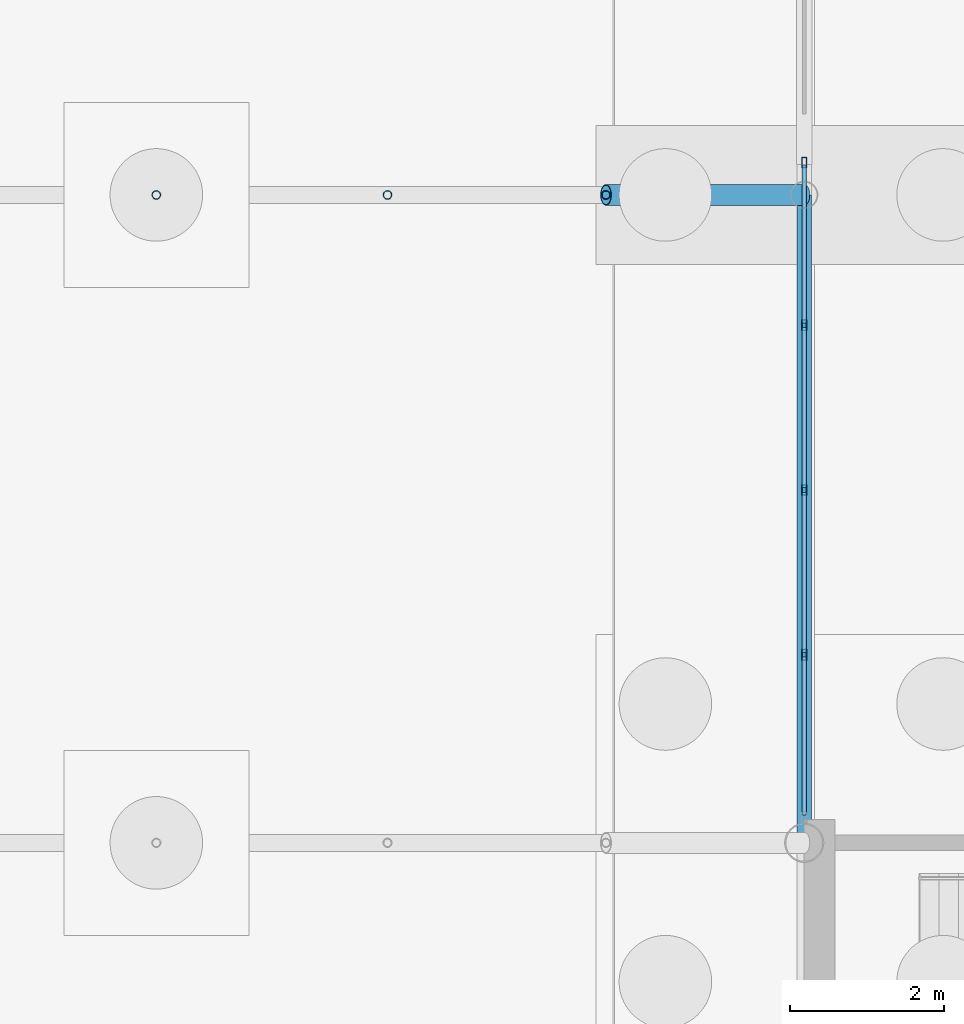
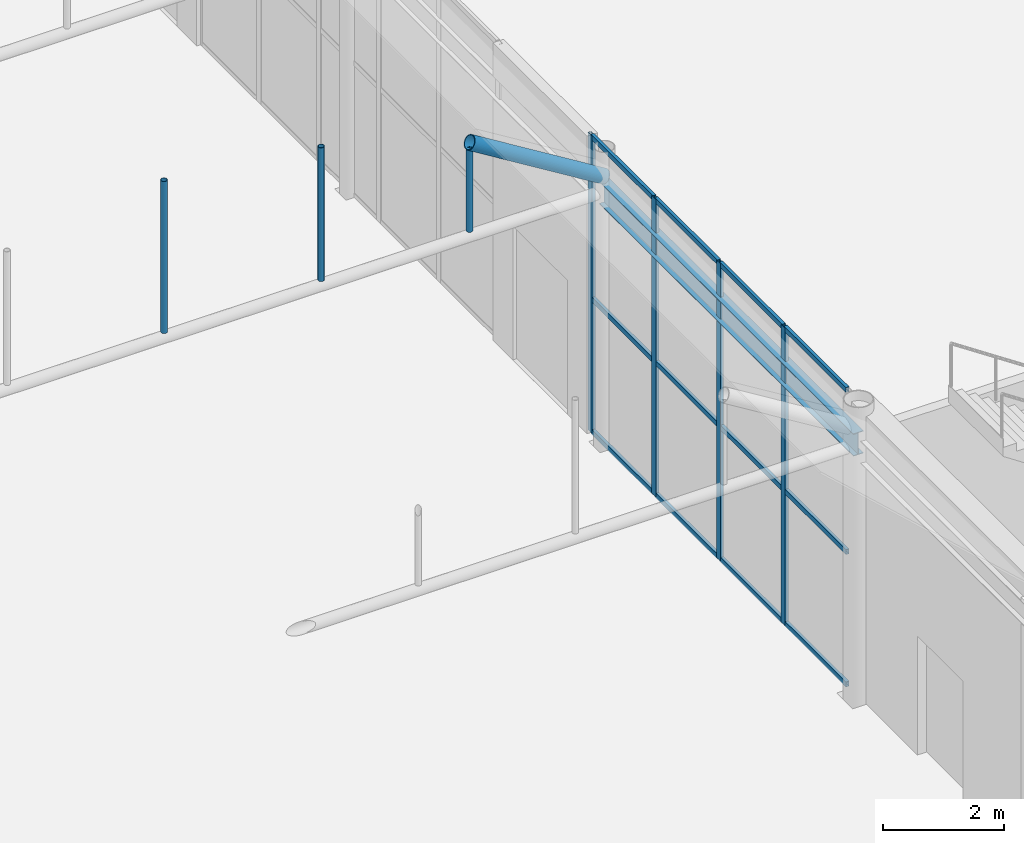
# One storey, part 106 of 212: 20 members, 1 beam, 1 element without a shape of its own.
"""IFC4 building model written with IfcOpenShell, lengths in metres."""

from ifc_helpers import new_model, si_unit, direction, frame, origin, origin_2d, place, context, subcontext, project, spatial, hollow_rectangle, hollow_circle, i_section, extrude, material, material_profile, profile_set, type_object, element, aggregate, save


model = new_model("IFC4")

# Units and contexts
model_context = context("Model", 3, precision=1e-05, world=origin(), true_north=direction((0.0, 1.0)))
body_context = subcontext(model_context, "Body", "Model", "MODEL_VIEW")
ifc_project = project(units=[si_unit("LENGTHUNIT", "METRE"), si_unit("AREAUNIT", "SQUARE_METRE"), si_unit("VOLUMEUNIT", "CUBIC_METRE"), si_unit("PLANEANGLEUNIT", "RADIAN"), si_unit("MASSUNIT", "GRAM", prefix="KILO")], contexts=[model_context])

# Site, building, storey
site_placement = place(None, origin())
site = spatial("IfcSite", under=ifc_project, at=site_placement, CompositionType="ELEMENT")
building_placement = place(site_placement, origin())
building = spatial("IfcBuilding", under=site, at=building_placement, Name="Catenary Quay Ferry Terminal", CompositionType="ELEMENT")
storey_placement = place(building_placement, origin())
storey = spatial("IfcBuildingStorey", under=building, at=storey_placement, Name="L00", CompositionType="ELEMENT", Elevation=0.0)

# Beam
ifc_material_1 = material(Name="Steel S355", Category="steel")
ifc_material_profile_1 = material_profile(ifc_material_1, i_section(OverallWidth=0.18994140625, OverallDepth=0.453369140625, WebThickness=0.008544921875, FlangeThickness=0.0126953125, at=origin_2d()), Name="UB 457x191x67")
ifc_profile_set_1 = profile_set([ifc_material_profile_1], Name="Steel S355")
beam_type = type_object("IfcBeamType", Name="B1 UB 457x191x67", PredefinedType="BEAM", material=ifc_profile_set_1)
beam_placement = place(storey_placement, frame((25.199951171875, 109.199951171875, 5.10009765625), z_axis=(0.0, 1.0, 0.0), x_axis=(-1.0, 0.0, 0.0)))
element("IfcBeam", 1, at=beam_placement, inside=storey, type_object=beam_type, Name="Eaves beam B-FD6", PredefinedType="BEAM", context=body_context, shape_type="SweptSolid", body=[
    extrude(i_section(OverallWidth=0.18994140625, OverallDepth=0.453369140625, WebThickness=0.008544921875, FlangeThickness=0.0126953125, at=origin_2d()), origin(), (0.0, 0.0, 1.0), 8.400146484375),
])

# Members
ifc_material_2 = material(Name="Steel S355", Category="steel")
ifc_material_profile_2 = material_profile(ifc_material_2, hollow_circle(Radius=0.05712890625, WallThickness=0.00634765625, at=origin_2d()), Name="CHS 114.3x6.3")
ifc_profile_set_2 = profile_set([ifc_material_profile_2], Name="Steel S355")
member_type_1 = type_object("IfcMemberType", Name="HG1 CHS 114.3x6.3", PredefinedType="POST", material=ifc_profile_set_2)
member_1_placement = place(storey_placement, frame((16.800048828125, 117.60009765625, 5.205078125), z_axis=(0.0, 0.0, 1.0), x_axis=(1.0, 0.0, 0.0)))
element("IfcMember", 2, at=member_1_placement, inside=storey, type_object=member_type_1, Name="Hanger FC-07-03", PredefinedType="POST", context=body_context, shape_type="SweptSolid", body=[
    extrude(hollow_circle(Radius=0.05712890625, WallThickness=0.00634765625, at=origin_2d()), origin(), (0.0, 0.0, 1.0), 3.06494140625),
])
member_2_placement = place(storey_placement, frame((19.797119140625, 117.60009765625, 5.205078125), z_axis=(0.0, 0.0, 1.0), x_axis=(1.0, 0.0, 0.0)))
element("IfcMember", 3, at=member_2_placement, inside=storey, type_object=member_type_1, Name="Hanger FC-07-04", PredefinedType="POST", context=body_context, shape_type="SweptSolid", body=[
    extrude(hollow_circle(Radius=0.05712890625, WallThickness=0.00634765625, at=origin_2d()), origin(), (0.0, 0.0, 1.0), 2.69580078125),
])
member_3_placement = place(storey_placement, frame((22.62890625, 117.60009765625, 5.205078125), z_axis=(0.0, 0.0, 1.0), x_axis=(1.0, 0.0, 0.0)))
element("IfcMember", 4, at=member_3_placement, inside=storey, type_object=member_type_1, Name="Hanger FC-07-05", PredefinedType="POST", context=body_context, shape_type="SweptSolid", body=[
    extrude(hollow_circle(Radius=0.05712890625, WallThickness=0.00634765625, at=origin_2d()), origin(), (0.0, 0.0, 1.0), 1.64892578125),
])

# Curtain wall, members
ifc_material_3 = material(Name="Aluminium and glass", Category="aluminium")
curtain_wall_type = type_object("IfcCurtainWallType", Name="CWG", PredefinedType="NOTDEFINED", material=ifc_material_3)
curtain_wall_placement = place(storey_placement, origin())
curtain_wall = element("IfcCurtainWall", 5, at=curtain_wall_placement, inside=storey, type_object=curtain_wall_type, Name="Gable departure hall curtain wall CW13", PredefinedType="NOTDEFINED")
ifc_material_4 = material(Name="Aluminium", Category="aluminium")
ifc_material_profile_3 = material_profile(ifc_material_4, hollow_rectangle(XDim=0.06005859375, YDim=0.139892578125, WallThickness=0.006103515625, at=origin_2d()), Name="MU2")
ifc_profile_set_3 = profile_set([ifc_material_profile_3], Name="Aluminium")
member_type_2 = type_object("IfcMemberType", Name="MU2", PredefinedType="MULLION", material=ifc_profile_set_3)
member_4_placement = place(storey_placement, frame((25.199951171875, 111.637451171875, 0.0), z_axis=(0.0, 0.0, 1.0), x_axis=(-1.0, 0.0, 0.0)))
member_4 = element("IfcMember", 6, at=member_4_placement, type_object=member_type_2, Name="CW13 mullion 2", PredefinedType="MULLION", context=body_context, shape_type="SweptSolid", body=[
    extrude(hollow_rectangle(XDim=0.06005859375, YDim=0.139892578125, WallThickness=0.006103515625, at=origin_2d()), origin(), (0.0, 0.0, 1.0), 6.0),
])
member_5_placement = place(storey_placement, frame((25.199951171875, 113.77490234375, 0.0), z_axis=(0.0, 0.0, 1.0), x_axis=(-1.0, 0.0, 0.0)))
member_5 = element("IfcMember", 7, at=member_5_placement, type_object=member_type_2, Name="CW13 mullion 3", PredefinedType="MULLION", context=body_context, shape_type="SweptSolid", body=[
    extrude(hollow_rectangle(XDim=0.06005859375, YDim=0.139892578125, WallThickness=0.006103515625, at=origin_2d()), origin(), (0.0, 0.0, 1.0), 6.0),
])
member_6_placement = place(storey_placement, frame((25.199951171875, 115.91259765625, 0.0), z_axis=(0.0, 0.0, 1.0), x_axis=(-1.0, 0.0, 0.0)))
member_6 = element("IfcMember", 8, at=member_6_placement, type_object=member_type_2, Name="CW13 mullion 4", PredefinedType="MULLION", context=body_context, shape_type="SweptSolid", body=[
    extrude(hollow_rectangle(XDim=0.06005859375, YDim=0.139892578125, WallThickness=0.006103515625, at=origin_2d()), origin(), (0.0, 0.0, 1.0), 6.0),
])
member_7_placement = place(storey_placement, frame((25.199951171875, 118.02001953125, 0.0), z_axis=(0.0, 0.0, 1.0), x_axis=(-1.0, 0.0, 0.0)))
member_7 = element("IfcMember", 9, at=member_7_placement, type_object=member_type_2, Name="CW13 mullion 5", PredefinedType="MULLION", context=body_context, shape_type="SweptSolid", body=[
    extrude(hollow_rectangle(XDim=0.06005859375, YDim=0.139892578125, WallThickness=0.006103515625, at=origin_2d()), origin(), (0.0, 0.0, 1.0), 6.0),
])
ifc_material_5 = material(Name="Aluminium", Category="aluminium")
ifc_material_profile_4 = material_profile(ifc_material_5, hollow_rectangle(XDim=0.06005859375, YDim=0.10009765625, WallThickness=0.0048828125, at=origin_2d()), Name="TR2")
ifc_profile_set_4 = profile_set([ifc_material_profile_4], Name="Aluminium")
member_type_3 = type_object("IfcMemberType", Name="TR2", PredefinedType="USERDEFINED", material=ifc_profile_set_4)
member_8_placement = place(storey_placement, frame((25.199951171875, 109.56005859375, 0.030029296875), z_axis=(0.0, 1.0, 0.0), x_axis=(-1.0, 0.0, 0.0)))
member_8 = element("IfcMember", 10, at=member_8_placement, type_object=member_type_3, Name="CW13 transom 1.1", ObjectType="TRANSOM", PredefinedType="USERDEFINED", context=body_context, shape_type="SweptSolid", body=[
    extrude(hollow_rectangle(XDim=0.06005859375, YDim=0.10009765625, WallThickness=0.0048828125, at=origin_2d()), origin(), (0.0, 0.0, 1.0), 2.04736328125),
])
member_9_placement = place(storey_placement, frame((25.199951171875, 109.56005859375, 2.699951171875), z_axis=(0.0, 1.0, 0.0), x_axis=(-1.0, 0.0, 0.0)))
member_9 = element("IfcMember", 11, at=member_9_placement, type_object=member_type_3, Name="CW13 transom 1.2", ObjectType="TRANSOM", PredefinedType="USERDEFINED", context=body_context, shape_type="SweptSolid", body=[
    extrude(hollow_rectangle(XDim=0.06005859375, YDim=0.10009765625, WallThickness=0.0048828125, at=origin_2d()), origin(), (0.0, 0.0, 1.0), 2.04736328125),
])
member_10_placement = place(storey_placement, frame((25.199951171875, 109.56005859375, 5.969970703125), z_axis=(0.0, 1.0, 0.0), x_axis=(-1.0, 0.0, 0.0)))
member_10 = element("IfcMember", 12, at=member_10_placement, type_object=member_type_3, Name="CW13 transom 1.3", ObjectType="TRANSOM", PredefinedType="USERDEFINED", context=body_context, shape_type="SweptSolid", body=[
    extrude(hollow_rectangle(XDim=0.06005859375, YDim=0.10009765625, WallThickness=0.0048828125, at=origin_2d()), origin(), (0.0, 0.0, 1.0), 2.04736328125),
])
member_11_placement = place(storey_placement, frame((25.199951171875, 111.66748046875, 0.030029296875), z_axis=(0.0, 1.0, 0.0), x_axis=(-1.0, 0.0, 0.0)))
member_11 = element("IfcMember", 13, at=member_11_placement, type_object=member_type_3, Name="CW13 transom 2.1", ObjectType="TRANSOM", PredefinedType="USERDEFINED", context=body_context, shape_type="SweptSolid", body=[
    extrude(hollow_rectangle(XDim=0.06005859375, YDim=0.10009765625, WallThickness=0.0048828125, at=origin_2d()), origin(), (0.0, 0.0, 1.0), 2.07763671875),
])
member_12_placement = place(storey_placement, frame((25.199951171875, 111.66748046875, 2.699951171875), z_axis=(0.0, 1.0, 0.0), x_axis=(-1.0, 0.0, 0.0)))
member_12 = element("IfcMember", 14, at=member_12_placement, type_object=member_type_3, Name="CW13 transom 2.2", ObjectType="TRANSOM", PredefinedType="USERDEFINED", context=body_context, shape_type="SweptSolid", body=[
    extrude(hollow_rectangle(XDim=0.06005859375, YDim=0.10009765625, WallThickness=0.0048828125, at=origin_2d()), origin(), (0.0, 0.0, 1.0), 2.07763671875),
])
member_13_placement = place(storey_placement, frame((25.199951171875, 111.66748046875, 5.969970703125), z_axis=(0.0, 1.0, 0.0), x_axis=(-1.0, 0.0, 0.0)))
member_13 = element("IfcMember", 15, at=member_13_placement, type_object=member_type_3, Name="CW13 transom 2.3", ObjectType="TRANSOM", PredefinedType="USERDEFINED", context=body_context, shape_type="SweptSolid", body=[
    extrude(hollow_rectangle(XDim=0.06005859375, YDim=0.10009765625, WallThickness=0.0048828125, at=origin_2d()), origin(), (0.0, 0.0, 1.0), 2.07763671875),
])
member_14_placement = place(storey_placement, frame((25.199951171875, 113.804931640625, 0.030029296875), z_axis=(0.0, 1.0, 0.0), x_axis=(-1.0, 0.0, 0.0)))
member_14 = element("IfcMember", 16, at=member_14_placement, type_object=member_type_3, Name="CW13 transom 3.1", ObjectType="TRANSOM", PredefinedType="USERDEFINED", context=body_context, shape_type="SweptSolid", body=[
    extrude(hollow_rectangle(XDim=0.06005859375, YDim=0.10009765625, WallThickness=0.0048828125, at=origin_2d()), origin(), (0.0, 0.0, 1.0), 2.07763671875),
])
member_15_placement = place(storey_placement, frame((25.199951171875, 113.804931640625, 2.699951171875), z_axis=(0.0, 1.0, 0.0), x_axis=(-1.0, 0.0, 0.0)))
member_15 = element("IfcMember", 17, at=member_15_placement, type_object=member_type_3, Name="CW13 transom 3.2", ObjectType="TRANSOM", PredefinedType="USERDEFINED", context=body_context, shape_type="SweptSolid", body=[
    extrude(hollow_rectangle(XDim=0.06005859375, YDim=0.10009765625, WallThickness=0.0048828125, at=origin_2d()), origin(), (0.0, 0.0, 1.0), 2.07763671875),
])
member_16_placement = place(storey_placement, frame((25.199951171875, 113.804931640625, 5.969970703125), z_axis=(0.0, 1.0, 0.0), x_axis=(-1.0, 0.0, 0.0)))
member_16 = element("IfcMember", 18, at=member_16_placement, type_object=member_type_3, Name="CW13 transom 3.3", ObjectType="TRANSOM", PredefinedType="USERDEFINED", context=body_context, shape_type="SweptSolid", body=[
    extrude(hollow_rectangle(XDim=0.06005859375, YDim=0.10009765625, WallThickness=0.0048828125, at=origin_2d()), origin(), (0.0, 0.0, 1.0), 2.07763671875),
])
member_17_placement = place(storey_placement, frame((25.199951171875, 115.9423828125, 0.030029296875), z_axis=(0.0, 1.0, 0.0), x_axis=(-1.0, 0.0, 0.0)))
member_17 = element("IfcMember", 19, at=member_17_placement, type_object=member_type_3, Name="CW13 transom 4.1", ObjectType="TRANSOM", PredefinedType="USERDEFINED", context=body_context, shape_type="SweptSolid", body=[
    extrude(hollow_rectangle(XDim=0.06005859375, YDim=0.10009765625, WallThickness=0.0048828125, at=origin_2d()), origin(), (0.0, 0.0, 1.0), 2.047607421875),
])
member_18_placement = place(storey_placement, frame((25.199951171875, 115.9423828125, 2.699951171875), z_axis=(0.0, 1.0, 0.0), x_axis=(-1.0, 0.0, 0.0)))
member_18 = element("IfcMember", 20, at=member_18_placement, type_object=member_type_3, Name="CW13 transom 4.2", ObjectType="TRANSOM", PredefinedType="USERDEFINED", context=body_context, shape_type="SweptSolid", body=[
    extrude(hollow_rectangle(XDim=0.06005859375, YDim=0.10009765625, WallThickness=0.0048828125, at=origin_2d()), origin(), (0.0, 0.0, 1.0), 2.047607421875),
])
member_19_placement = place(storey_placement, frame((25.199951171875, 115.9423828125, 5.969970703125), z_axis=(0.0, 1.0, 0.0), x_axis=(-1.0, 0.0, 0.0)))
member_19 = element("IfcMember", 21, at=member_19_placement, type_object=member_type_3, Name="CW13 transom 4.3", ObjectType="TRANSOM", PredefinedType="USERDEFINED", context=body_context, shape_type="SweptSolid", body=[
    extrude(hollow_rectangle(XDim=0.06005859375, YDim=0.10009765625, WallThickness=0.0048828125, at=origin_2d()), origin(), (0.0, 0.0, 1.0), 2.047607421875),
])
aggregate(curtain_wall, [member_4, member_5, member_6, member_7, member_8, member_9, member_10, member_11, member_12, member_13, member_14, member_15, member_16, member_17, member_18, member_19])

# Member
ifc_material_6 = material(Name="Steel S355", Category="steel")
ifc_material_profile_5 = material_profile(ifc_material_6, hollow_circle(Radius=0.136474609375, WallThickness=0.012451171875, at=origin_2d()), Name="CHS 273x12.5")
ifc_profile_set_5 = profile_set([ifc_material_profile_5], Name="Steel S355")
member_type_4 = type_object("IfcMemberType", Name="VR2 CHS 273x12.5", PredefinedType="RAFTER", material=ifc_profile_set_5)
member_20_placement = place(storey_placement, frame((22.62890625, 117.60009765625, 6.98388671875), z_axis=(0.851391726314, 0.0, -0.524530388408), x_axis=(0.0, 1.0, 0.0)))
element("IfcMember", 22, at=member_20_placement, inside=storey, type_object=member_type_4, Name="rib FC-07-06", PredefinedType="RAFTER", context=body_context, shape_type="SweptSolid", body=[
    extrude(hollow_circle(Radius=0.136474609375, WallThickness=0.012451171875, at=origin_2d()), origin(), (0.0, 0.0, 1.0), 3.019775390625),
])

save(model, "model.ifc")
